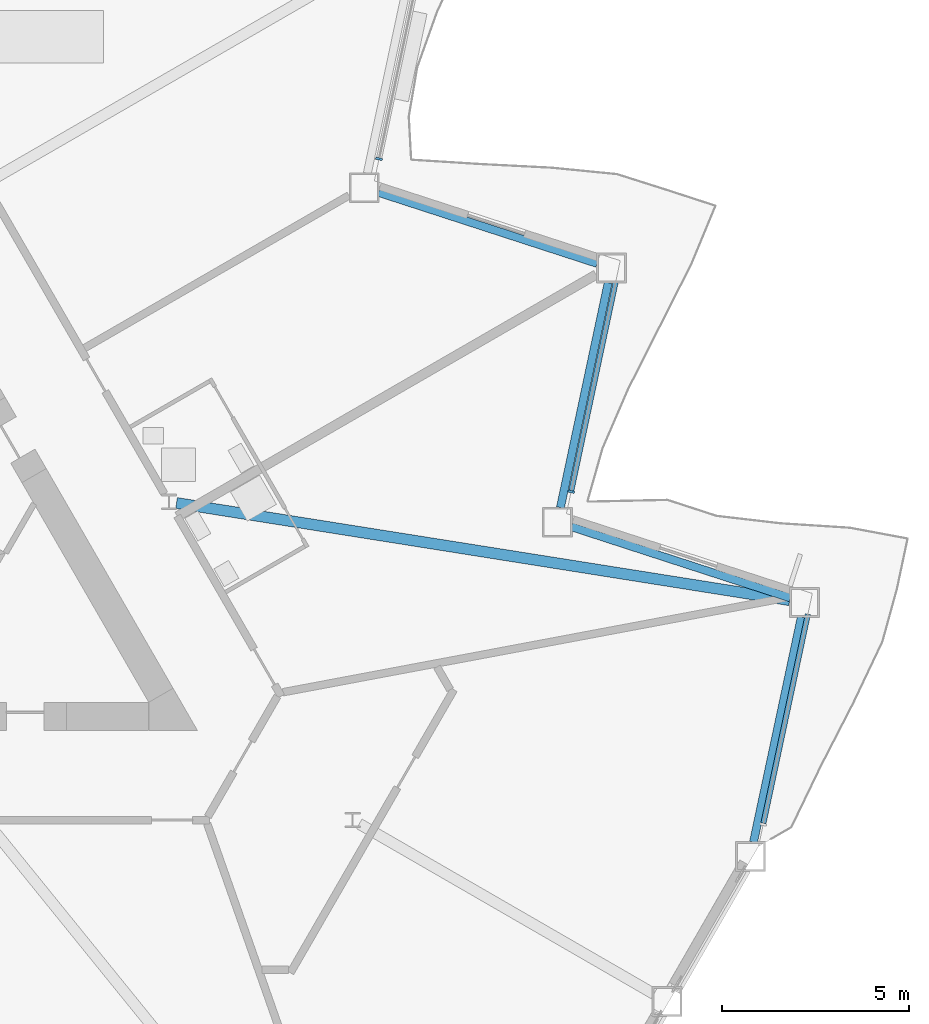
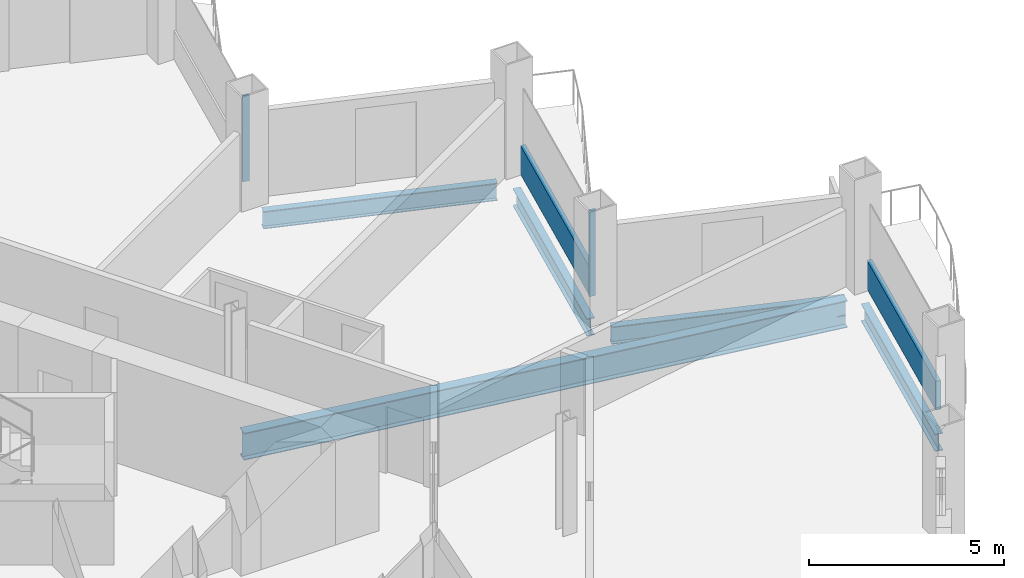
# One storey, part 6 of 22: 5 beams, 4 members, 3 elements without a shape of their own.
"""IFC4 building model written with IfcOpenShell, lengths in metres."""

from ifc_helpers import new_model, si_unit, direction, frame, origin, origin_2d, place, context, subcontext, project, spatial, rectangle, i_section, extrude, material, layer, layer_set, material_profile, profile_set, type_object, element, aggregate, save


model = new_model("IFC4")

# Units and contexts
model_context = context("Model", 3, precision=1e-05, world=origin(), true_north=direction((0.0, 1.0)))
body_context = subcontext(model_context, "Body", "Model", "MODEL_VIEW")
ifc_project = project(units=[si_unit("LENGTHUNIT", "METRE"), si_unit("AREAUNIT", "SQUARE_METRE"), si_unit("VOLUMEUNIT", "CUBIC_METRE"), si_unit("PLANEANGLEUNIT", "RADIAN"), si_unit("MASSUNIT", "GRAM", prefix="KILO")], contexts=[model_context])

# Site, building, storey
site_placement = place(None, origin())
site = spatial("IfcSite", under=ifc_project, at=site_placement, CompositionType="ELEMENT")
building_placement = place(site_placement, origin())
building = spatial("IfcBuilding", under=site, at=building_placement, Name="Cormorant Prow Tower", CompositionType="ELEMENT")
storey_placement = place(building_placement, frame((0.0, 0.0, 194.39990234375)))
storey = spatial("IfcBuildingStorey", under=building, at=storey_placement, Name="L42", CompositionType="ELEMENT", Elevation=194.39990234375)

# Curtain wall, member
ifc_material_1 = material(Name="Aluminium 6063-T6", Category="aluminium")
ifc_layer = layer(ifc_material_1, 0.179931640625)
ifc_layer_set = layer_set([ifc_layer], Name="Aluminium 6063-T6")
curtain_wall_type = type_object("IfcCurtainWallType", Name="Hotel unitised curtain wall 180", PredefinedType="NOTDEFINED", material=ifc_layer_set)
curtain_wall_1_placement = place(storey_placement, origin())
curtain_wall_1 = element("IfcCurtainWall", 1, at=curtain_wall_1_placement, inside=storey, type_object=curtain_wall_type, Name="Hotel curtain wall ENE02", PredefinedType="NOTDEFINED")
ifc_material_2 = material(Name="Aluminium 6063-T6", Category="aluminium")
ifc_material_profile_1 = material_profile(ifc_material_2, rectangle(XDim=0.179931640625, YDim=0.06005859375, at=origin_2d()), Name="Hotel mullion 60x180")
ifc_profile_set_1 = profile_set([ifc_material_profile_1], Name="Aluminium 6063-T6")
member_type_1 = type_object("IfcMemberType", Name="Hotel mullion 60x180", PredefinedType="MULLION", material=ifc_profile_set_1)
member_1_placement = place(storey_placement, frame((25.498046875, -2.56591796875, 0.0), z_axis=(0.0, 0.0, 1.0), x_axis=(-0.978147607432, 0.207911659303, 0.0)))
member_1 = element("IfcMember", 2, at=member_1_placement, type_object=member_type_1, Name="Hotel mullion ENE02", PredefinedType="MULLION", context=body_context, shape_type="SweptSolid", body=[
    extrude(rectangle(XDim=0.179931640625, YDim=0.06005859375, at=origin_2d()), origin(), (0.0, 0.0, 1.0), 2.700927734375),
])

curtain_wall_2_placement = place(storey_placement, origin())
curtain_wall_2 = element("IfcCurtainWall", 3, at=curtain_wall_2_placement, inside=storey, type_object=curtain_wall_type, Name="Hotel curtain wall ENE04", PredefinedType="NOTDEFINED")
member_2_placement = place(storey_placement, frame((20.359619140625, 6.334228515625, 0.0), z_axis=(0.0, 0.0, 1.0), x_axis=(-0.978147613681, 0.207911629905, 0.0)))
member_2 = element("IfcMember", 4, at=member_2_placement, type_object=member_type_1, Name="Hotel mullion ENE04", PredefinedType="MULLION", context=body_context, shape_type="SweptSolid", body=[
    extrude(rectangle(XDim=0.179931640625, YDim=0.06005859375, at=origin_2d()), origin(), (0.0, 0.0, 1.0), 2.700927734375),
])
aggregate(curtain_wall_2, [member_2])

curtain_wall_3_placement = place(storey_placement, origin())
curtain_wall_3 = element("IfcCurtainWall", 5, at=curtain_wall_3_placement, inside=storey, type_object=curtain_wall_type, Name="Hotel curtain wall ENE00", PredefinedType="NOTDEFINED")
ifc_material_3 = material(Name="Terracotta", Category="masonry")
ifc_material_profile_2 = material_profile(ifc_material_3, rectangle(XDim=0.139892578125, YDim=0.89990234375, at=origin_2d()), Name="Hotel terracotta spandrel rail 140x900")
ifc_profile_set_2 = profile_set([ifc_material_profile_2], Name="Terracotta")
member_type_2 = type_object("IfcMemberType", Name="Hotel terracotta spandrel rail 140x900", PredefinedType="USERDEFINED", material=ifc_profile_set_2)
member_3_placement = place(storey_placement, frame((30.642822265625, -11.436767578125, 0.4501953125), z_axis=(0.207907772001, 0.978148433696, 0.0), x_axis=(-0.978148433696, 0.207907772001, 0.0)))
member_3 = element("IfcMember", 6, at=member_3_placement, type_object=member_type_2, Name="Hotel spandrel rail ENE00", ObjectType="TRANSOM", PredefinedType="USERDEFINED", context=body_context, shape_type="SweptSolid", body=[
    extrude(rectangle(XDim=0.139892578125, YDim=0.89990234375, at=origin_2d()), origin(), (0.0, 0.0, 1.0), 5.71875),
])
aggregate(curtain_wall_3, [member_3])

# Member
member_4_placement = place(storey_placement, frame((25.50439453125, -2.53662109375, 0.4501953125), z_axis=(0.207907772001, 0.978148433696, 0.0), x_axis=(-0.978148433696, 0.207907772001, 0.0)))
member_4 = element("IfcMember", 7, at=member_4_placement, type_object=member_type_2, Name="Hotel spandrel rail ENE02", ObjectType="TRANSOM", PredefinedType="USERDEFINED", context=body_context, shape_type="SweptSolid", body=[
    extrude(rectangle(XDim=0.139892578125, YDim=0.89990234375, at=origin_2d()), origin(), (0.0, 0.0, 1.0), 5.71875),
])

aggregate(curtain_wall_1, [member_1, member_4])

# Beams
ifc_material_4 = material(Name="Structural steel ASTM A992 Gr 50", Category="steel")
ifc_material_profile_3 = material_profile(ifc_material_4, i_section(OverallWidth=0.29296875, OverallDepth=0.845703125, WebThickness=0.015380859375, FlangeThickness=0.0244140625, at=origin_2d()), Name="W33x141")
ifc_profile_set_3 = profile_set([ifc_material_profile_3], Name="Structural steel ASTM A992 Gr 50")
beam_type_1 = type_object("IfcBeamType", Name="Radial floor beam W33x141", PredefinedType="BEAM", material=ifc_profile_set_3)
beam_1_placement = place(storey_placement, frame((14.94384765625, -2.869140625, -0.772705078125), z_axis=(0.987678058302, -0.156499371084, 0.0), x_axis=(0.156499371084, 0.987678058302, 0.0)))
element("IfcBeam", 8, at=beam_1_placement, inside=storey, type_object=beam_type_1, Name="Radial floor beam FB2 10 L42", PredefinedType="BEAM", context=body_context, shape_type="SweptSolid", body=[
    extrude(i_section(OverallWidth=0.29296875, OverallDepth=0.845703125, WebThickness=0.015380859375, FlangeThickness=0.0244140625, at=origin_2d()), origin(), (0.0, 0.0, 1.0), 16.604736328125),
])
ifc_material_5 = material(Name="Structural steel ASTM A992 Gr 50", Category="steel")
ifc_material_profile_4 = material_profile(ifc_material_5, i_section(OverallWidth=0.2138671875, OverallDepth=0.549072265625, WebThickness=0.0146484375, FlangeThickness=0.023681640625, at=origin_2d()), Name="W21x93")
ifc_profile_set_4 = profile_set([ifc_material_profile_4], Name="Structural steel ASTM A992 Gr 50")
beam_type_2 = type_object("IfcBeamType", Name="Spandrel beam W21x93", PredefinedType="SPANDREL", material=ifc_profile_set_4)
beam_2_placement = place(storey_placement, frame((30.377197265625, -11.93701171875, -0.62451171875), z_axis=(0.207904811195, 0.978149063018, 0.0), x_axis=(-0.978149063018, 0.207904811195, 0.0)))
element("IfcBeam", 9, at=beam_2_placement, inside=storey, type_object=beam_type_2, Name="Spandrel beam SB2 ENE00-ENE01 L42", PredefinedType="SPANDREL", context=body_context, shape_type="SweptSolid", body=[
    extrude(i_section(OverallWidth=0.2138671875, OverallDepth=0.549072265625, WebThickness=0.0146484375, FlangeThickness=0.023681640625, at=origin_2d()), origin(), (0.0, 0.0, 1.0), 6.149658203125),
])
beam_3_placement = place(storey_placement, frame((31.358642578125, -5.40673828125, -0.62451171875), z_axis=(-0.951057696564, 0.309013361859, 0.0), x_axis=(-0.309013361859, -0.951057696564, 0.0)))
element("IfcBeam", 10, at=beam_3_placement, inside=storey, type_object=beam_type_2, Name="Spandrel beam SB2 ENE01-ENE02 L42", PredefinedType="SPANDREL", context=body_context, shape_type="SweptSolid", body=[
    extrude(i_section(OverallWidth=0.2138671875, OverallDepth=0.549072265625, WebThickness=0.0146484375, FlangeThickness=0.023681640625, at=origin_2d()), origin(), (0.0, 0.0, 1.0), 6.14990234375),
])
beam_4_placement = place(storey_placement, frame((25.21240234375, -2.991455078125, -0.62451171875), z_axis=(0.207904811195, 0.978149063018, 0.0), x_axis=(-0.978149063018, 0.207904811195, 0.0)))
element("IfcBeam", 11, at=beam_4_placement, inside=storey, type_object=beam_type_2, Name="Spandrel beam SB2 ENE02-ENE03 L42", PredefinedType="SPANDREL", context=body_context, shape_type="SweptSolid", body=[
    extrude(i_section(OverallWidth=0.2138671875, OverallDepth=0.549072265625, WebThickness=0.0146484375, FlangeThickness=0.023681640625, at=origin_2d()), origin(), (0.0, 0.0, 1.0), 6.149658203125),
])
beam_5_placement = place(storey_placement, frame((26.19384765625, 3.538818359375, -0.62451171875), z_axis=(-0.951057696564, 0.309013361859, 0.0), x_axis=(-0.309013361859, -0.951057696564, 0.0)))
element("IfcBeam", 12, at=beam_5_placement, inside=storey, type_object=beam_type_2, Name="Spandrel beam SB2 ENE03-ENE04 L42", PredefinedType="SPANDREL", context=body_context, shape_type="SweptSolid", body=[
    extrude(i_section(OverallWidth=0.2138671875, OverallDepth=0.549072265625, WebThickness=0.0146484375, FlangeThickness=0.023681640625, at=origin_2d()), origin(), (0.0, 0.0, 1.0), 6.14990234375),
])

save(model, "model.ifc")
